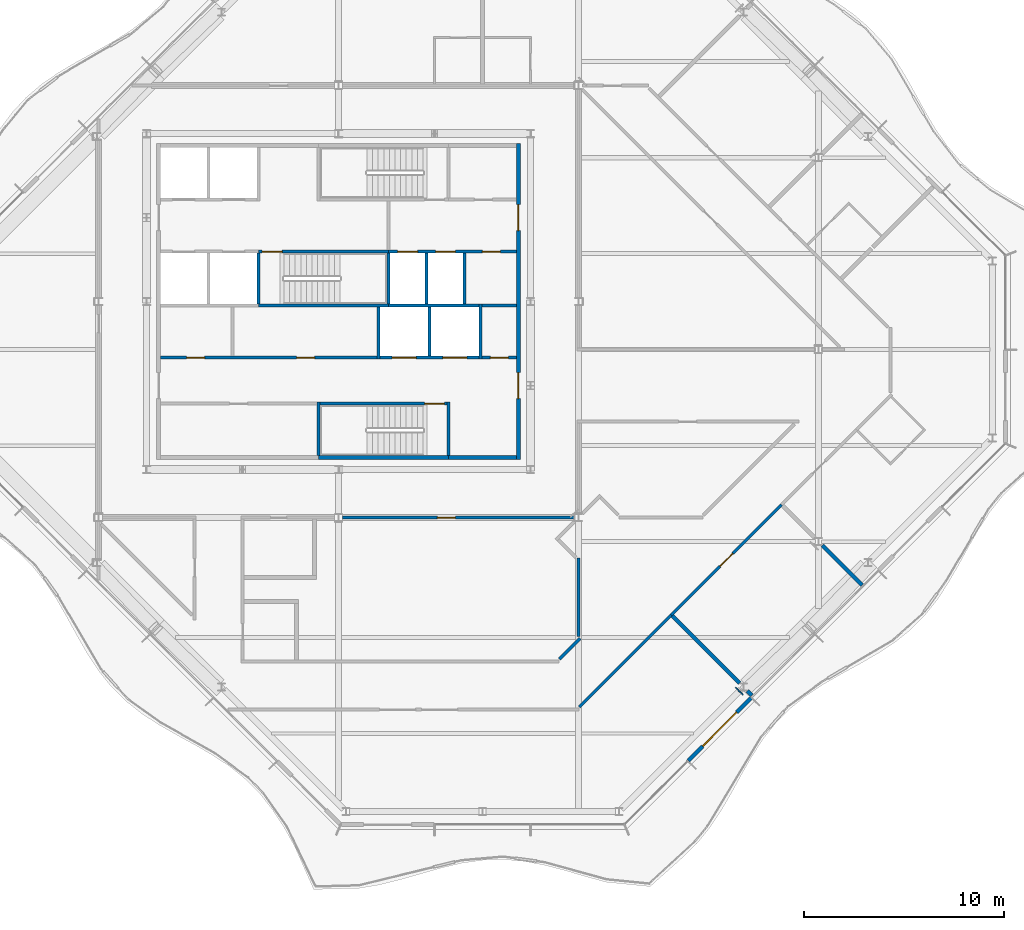
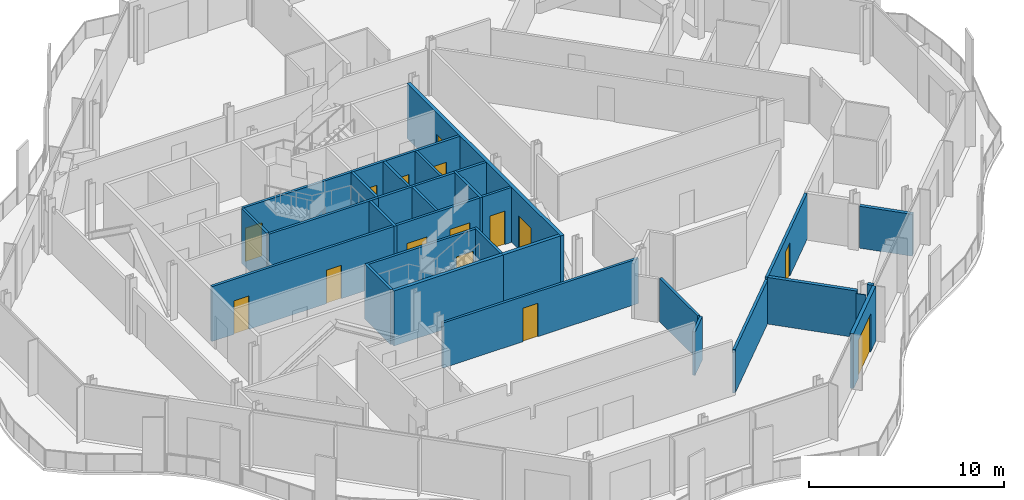
# One storey, part 8 of 16: 31 walls, 15 doors, 15 openings.
"""IFC4 building model written with IfcOpenShell, lengths in metres."""

from ifc_helpers import new_model, si_unit, direction, frame, frame_2d, origin, place, context, subcontext, project, spatial, rectangle, extrude, material, layer, layer_set, type_object, element, fill, save


model = new_model("IFC4")

# Units and contexts
model_context = context("Model", 3, precision=1e-05, world=origin(), true_north=direction((0.0, 1.0)))
body_context = subcontext(model_context, "Body", "Model", "MODEL_VIEW")
ifc_project = project(units=[si_unit("LENGTHUNIT", "METRE"), si_unit("AREAUNIT", "SQUARE_METRE"), si_unit("VOLUMEUNIT", "CUBIC_METRE"), si_unit("PLANEANGLEUNIT", "RADIAN"), si_unit("MASSUNIT", "GRAM", prefix="KILO")], contexts=[model_context])

# Site, building, storey
site_placement = place(None, origin())
site = spatial("IfcSite", under=ifc_project, at=site_placement, CompositionType="ELEMENT")
building_placement = place(site_placement, origin())
building = spatial("IfcBuilding", under=site, at=building_placement, Name="Cairn Pilgrim Tower", CompositionType="ELEMENT")
storey_placement = place(building_placement, frame((0.0, 0.0, 288.60009765625)))
storey = spatial("IfcBuildingStorey", under=building, at=storey_placement, Name="L74", CompositionType="ELEMENT", Elevation=288.60009765625)

# Wall, opening, door
ifc_material_1 = material(Name="Bronze anodised aluminium insulated sandwich panel with mineral wool fill", Category="aluminium")
ifc_layer_1 = layer(ifc_material_1, 0.199951171875)
ifc_layer_set_1 = layer_set([ifc_layer_1], Name="BRONZE INFILL FRAME WALL 200")
wall_type_1 = type_object("IfcWallType", Name="BRONZE INFILL FRAME WALL 200", PredefinedType="NOTDEFINED", material=ifc_layer_set_1)
wall_1_placement = place(storey_placement, frame((24.693359375, -20.55322265625, 0.0), z_axis=(0.0, 0.0, 1.0), x_axis=(0.707079231393, 0.707134329907, 0.0)))
wall_1 = element("IfcWall", 1, at=wall_1_placement, inside=storey, type_object=wall_type_1, Name="Bronze infill frame wall IW-SE2", PredefinedType="NOTDEFINED", context=body_context, shape_type="SweptSolid", body=[
    extrude(rectangle(XDim=4.430908203125, YDim=0.199951171875, at=frame_2d((2.21533203125, 0.0))), origin(), (0.0, 0.0, 1.0), 3.449951171875),
])
opening_1_placement = place(wall_1_placement, frame((1.015380859375, 0.0, 0.0)))
opening_1 = element("IfcOpeningElement", 2, at=opening_1_placement, cuts=wall_1, Name="Opening 7401B2", PredefinedType="OPENING", context=body_context, shape_type="SweptSolid", body=[
    extrude(rectangle(XDim=2.39990234375, YDim=2.39990234375, at=frame_2d((1.199951171875, 1.199951171875))), frame((0.0, 0.10986328125, 0.0), z_axis=(0.0, -1.0, 0.0), x_axis=(1.0, 0.0, 0.0)), (0.0, 0.0, 1.0), 0.219970703125),
])
ifc_material_2 = material(Name="Bronze anodised aluminium frame with tinted low-E glass", Category="aluminium")
door_type_1 = type_object("IfcDoorType", Name="BALCONY SLIDING DOOR 2400x2400", OperationType="DOUBLE_DOOR_SLIDING", PredefinedType="DOOR", material=ifc_material_2)
door_1_placement = place(opening_1_placement, origin())
door_1 = element("IfcDoor", 3, at=door_1_placement, inside=storey, type_object=door_type_1, Name="Balcony sliding door 7401B2", OperationType="SINGLE_SWING_LEFT", OverallHeight=2.39990234375, OverallWidth=2.39990234375, PredefinedType="DOOR", context=body_context, shape_type="SweptSolid", body=[
    extrude(rectangle(XDim=2.39990234375, YDim=2.39990234375, at=frame_2d((1.199951171875, 1.199951171875))), frame((0.0, 0.02490234375, 0.0), z_axis=(0.0, -1.0, 0.0), x_axis=(1.0, 0.0, 0.0)), (0.0, 0.0, 1.0), 0.050048828125),
])
fill(opening_1, door_1)

# Wall
ifc_material_3 = material(Name="Concrete C32/40", Category="concrete")
ifc_layer_2 = layer(ifc_material_3, 0.199951171875)
ifc_layer_set_2 = layer_set([ifc_layer_2], Name="CORE OUTER WALL 200 EI 120")
wall_type_2 = type_object("IfcWallType", Name="CORE OUTER WALL 200 EI 120", PredefinedType="SOLIDWALL", material=ifc_layer_set_2)
wall_2_placement = place(storey_placement, frame((12.699951171875, -5.39990234375, 0.0), z_axis=(0.0, 0.0, 1.0), x_axis=(1.0, 0.0, 0.0)))
element("IfcWall", 4, at=wall_2_placement, inside=storey, type_object=wall_type_2, Name="CW:L74:H01-3", PredefinedType="SOLIDWALL", context=body_context, shape_type="SweptSolid", body=[
    extrude(rectangle(XDim=3.400146484375, YDim=0.199951171875, at=frame_2d((1.7001953125, 0.0))), origin(), (0.0, 0.0, 1.0), 3.449951171875),
])

# Wall, openings, doors
wall_3_placement = place(storey_placement, frame((16.199951171875, -5.5, 0.0), z_axis=(0.0, 0.0, 1.0), x_axis=(0.0, 1.0, 0.0)))
wall_3 = element("IfcWall", 5, at=wall_3_placement, inside=storey, type_object=wall_type_2, Name="CW:L74:V30", PredefinedType="SOLIDWALL", context=body_context, shape_type="SweptSolid", body=[
    extrude(rectangle(XDim=15.800048828125, YDim=0.199951171875, at=frame_2d((7.89990234375, 0.0))), origin(), (0.0, 0.0, 1.0), 3.449951171875),
])
opening_2_placement = place(wall_3_placement, frame((3.050048828125, 0.0, 0.0)))
opening_2 = element("IfcOpeningElement", 6, at=opening_2_placement, cuts=wall_3, Name="Opening CD-E1", PredefinedType="OPENING", context=body_context, shape_type="SweptSolid", body=[
    extrude(rectangle(XDim=1.300048828125, YDim=2.10009765625, at=frame_2d((0.64990234375, 1.050048828125))), frame((0.0, 0.10986328125, 0.0), z_axis=(0.0, -1.0, 0.0), x_axis=(1.0, 0.0, 0.0)), (0.0, 0.0, 1.0), 0.219970703125),
])
opening_3_placement = place(wall_3_placement, frame((11.449951171875, 0.0, 0.0)))
opening_3 = element("IfcOpeningElement", 7, at=opening_3_placement, cuts=wall_3, Name="Opening CD-E2", PredefinedType="OPENING", context=body_context, shape_type="SweptSolid", body=[
    extrude(rectangle(XDim=1.300048828125, YDim=2.10009765625, at=frame_2d((0.64990234375, 1.050048828125))), frame((0.0, 0.10986328125, 0.0), z_axis=(0.0, -1.0, 0.0), x_axis=(1.0, 0.0, 0.0)), (0.0, 0.0, 1.0), 0.219970703125),
])
ifc_material_4 = material(Name="Painted steel", Category="steel")
door_type_2 = type_object("IfcDoorType", Name="CORE LOBBY DOOR 1300x2100", OperationType="DOUBLE_DOOR_SINGLE_SWING", PredefinedType="DOOR", material=ifc_material_4)
door_2_placement = place(opening_2_placement, origin())
door_2 = element("IfcDoor", 8, at=door_2_placement, inside=storey, type_object=door_type_2, Name="CD-E1", OperationType="DOUBLE_DOOR_SINGLE_SWING", OverallHeight=2.10009765625, OverallWidth=1.300048828125, PredefinedType="DOOR", context=body_context, shape_type="SweptSolid", body=[
    extrude(rectangle(XDim=1.300048828125, YDim=2.10009765625, at=frame_2d((0.64990234375, 1.050048828125))), frame((0.0, 0.02490234375, 0.0), z_axis=(0.0, -1.0, 0.0), x_axis=(1.0, 0.0, 0.0)), (0.0, 0.0, 1.0), 0.050048828125),
])
fill(opening_2, door_2)
door_3_placement = place(opening_3_placement, origin())
door_3 = element("IfcDoor", 9, at=door_3_placement, inside=storey, type_object=door_type_2, Name="CD-E2", OperationType="DOUBLE_DOOR_SINGLE_SWING", OverallHeight=2.10009765625, OverallWidth=1.300048828125, PredefinedType="DOOR", context=body_context, shape_type="SweptSolid", body=[
    extrude(rectangle(XDim=1.300048828125, YDim=2.10009765625, at=frame_2d((0.64990234375, 1.050048828125))), frame((0.0, 0.02490234375, 0.0), z_axis=(0.0, -1.0, 0.0), x_axis=(1.0, 0.0, 0.0)), (0.0, 0.0, 1.0), 0.050048828125),
])
fill(opening_3, door_3)

ifc_layer_3 = layer(ifc_material_3, 0.14990234375)
ifc_layer_set_3 = layer_set([ifc_layer_3], Name="CORE PARTITION 150 EI 60")
wall_type_3 = type_object("IfcWallType", Name="CORE PARTITION 150 EI 60", PredefinedType="PARTITIONING", material=ifc_layer_set_3)
wall_4_placement = place(storey_placement, frame((-1.699951171875, -0.39990234375, 0.0), z_axis=(0.0, 0.0, 1.0), x_axis=(1.0, 0.0, 0.0)))
wall_4 = element("IfcWall", 10, at=wall_4_placement, inside=storey, type_object=wall_type_3, Name="CW:L74:H04", PredefinedType="PARTITIONING", context=body_context, shape_type="SweptSolid", body=[
    extrude(rectangle(XDim=10.824951171875, YDim=0.14990234375, at=frame_2d((5.41259765625, 0.0))), origin(), (0.0, 0.0, 1.0), 3.449951171875),
])
opening_4_placement = place(wall_4_placement, frame((1.300048828125, 0.0, 0.0)))
opening_4 = element("IfcOpeningElement", 11, at=opening_4_placement, cuts=wall_4, Name="Opening RD-R2W1", PredefinedType="OPENING", context=body_context, shape_type="SweptSolid", body=[
    extrude(rectangle(XDim=0.89990234375, YDim=2.10009765625, at=frame_2d((0.449951171875, 1.050048828125))), frame((0.0, 0.0849609375, 0.0), z_axis=(0.0, -1.0, 0.0), x_axis=(1.0, 0.0, 0.0)), (0.0, 0.0, 1.0), 0.169921875),
])
opening_5_placement = place(wall_4_placement, frame((6.800048828125, 0.0, 0.0)))
opening_5 = element("IfcOpeningElement", 12, at=opening_5_placement, cuts=wall_4, Name="Opening RD-R2W2", PredefinedType="OPENING", context=body_context, shape_type="SweptSolid", body=[
    extrude(rectangle(XDim=0.89990234375, YDim=2.10009765625, at=frame_2d((0.449951171875, 1.050048828125))), frame((0.0, 0.0849609375, 0.0), z_axis=(0.0, -1.0, 0.0), x_axis=(1.0, 0.0, 0.0)), (0.0, 0.0, 1.0), 0.169921875),
])
door_type_3 = type_object("IfcDoorType", Name="SERVICE ROOM DOOR 900x2100", OperationType="SINGLE_SWING_LEFT", PredefinedType="DOOR", material=ifc_material_4)
door_4_placement = place(opening_4_placement, origin())
door_4 = element("IfcDoor", 13, at=door_4_placement, inside=storey, type_object=door_type_3, Name="RD-R2W1", OperationType="SINGLE_SWING_RIGHT", OverallHeight=2.10009765625, OverallWidth=0.89990234375, PredefinedType="DOOR", context=body_context, shape_type="SweptSolid", body=[
    extrude(rectangle(XDim=0.89990234375, YDim=2.10009765625, at=frame_2d((0.449951171875, 1.050048828125))), frame((0.0, 0.02490234375, 0.0), z_axis=(0.0, -1.0, 0.0), x_axis=(1.0, 0.0, 0.0)), (0.0, 0.0, 1.0), 0.050048828125),
])
fill(opening_4, door_4)
door_5_placement = place(opening_5_placement, origin())
door_5 = element("IfcDoor", 14, at=door_5_placement, inside=storey, type_object=door_type_3, Name="RD-R2W2", OperationType="SINGLE_SWING_LEFT", OverallHeight=2.10009765625, OverallWidth=0.89990234375, PredefinedType="DOOR", context=body_context, shape_type="SweptSolid", body=[
    extrude(rectangle(XDim=0.89990234375, YDim=2.10009765625, at=frame_2d((0.449951171875, 1.050048828125))), frame((0.0, 0.02490234375, 0.0), z_axis=(0.0, -1.0, 0.0), x_axis=(1.0, 0.0, 0.0)), (0.0, 0.0, 1.0), 0.050048828125),
])
fill(opening_5, door_5)

# Wall, opening, door
wall_5_placement = place(storey_placement, frame((14.375, -0.39990234375, 0.0), z_axis=(0.0, 0.0, 1.0), x_axis=(1.0, 0.0, 0.0)))
wall_5 = element("IfcWall", 15, at=wall_5_placement, inside=storey, type_object=wall_type_3, Name="CW:L74:H06", PredefinedType="PARTITIONING", context=body_context, shape_type="SweptSolid", body=[
    extrude(rectangle(XDim=1.72509765625, YDim=0.14990234375, at=frame_2d((0.862548828125, 0.0))), origin(), (0.0, 0.0, 1.0), 3.449951171875),
])
opening_6_placement = place(wall_5_placement, frame((0.425048828125, 0.0, 0.0)))
opening_6 = element("IfcOpeningElement", 16, at=opening_6_placement, cuts=wall_5, Name="Opening RD-R2E", PredefinedType="OPENING", context=body_context, shape_type="SweptSolid", body=[
    extrude(rectangle(XDim=0.89990234375, YDim=2.10009765625, at=frame_2d((0.449951171875, 1.050048828125))), frame((0.0, 0.0849609375, 0.0), z_axis=(0.0, -1.0, 0.0), x_axis=(1.0, 0.0, 0.0)), (0.0, 0.0, 1.0), 0.169921875),
])
door_6_placement = place(opening_6_placement, origin())
door_6 = element("IfcDoor", 17, at=door_6_placement, inside=storey, type_object=door_type_3, Name="RD-R2E", OperationType="SINGLE_SWING_RIGHT", OverallHeight=2.10009765625, OverallWidth=0.89990234375, PredefinedType="DOOR", context=body_context, shape_type="SweptSolid", body=[
    extrude(rectangle(XDim=0.89990234375, YDim=2.10009765625, at=frame_2d((0.449951171875, 1.050048828125))), frame((0.0, 0.02490234375, 0.0), z_axis=(0.0, -1.0, 0.0), x_axis=(1.0, 0.0, 0.0)), (0.0, 0.0, 1.0), 0.050048828125),
])
fill(opening_6, door_6)

# Wall
wall_6_placement = place(storey_placement, frame((14.375, 2.199951171875, 0.0), z_axis=(0.0, 0.0, 1.0), x_axis=(1.0, 0.0, 0.0)))
element("IfcWall", 18, at=wall_6_placement, inside=storey, type_object=wall_type_3, Name="CW:L74:H08", PredefinedType="PARTITIONING", context=body_context, shape_type="SweptSolid", body=[
    extrude(rectangle(XDim=1.72509765625, YDim=0.14990234375, at=frame_2d((0.862548828125, 0.0))), origin(), (0.0, 0.0, 1.0), 3.449951171875),
])

# Wall, openings, doors
ifc_layer_4 = layer(ifc_material_3, 0.14990234375)
ifc_layer_set_4 = layer_set([ifc_layer_4], Name="CORE SHAFT WALL 150 EI 120")
wall_type_4 = type_object("IfcWallType", Name="CORE SHAFT WALL 150 EI 120", PredefinedType="SOLIDWALL", material=ifc_layer_set_4)
wall_7_placement = place(storey_placement, frame((9.27490234375, -0.39990234375, 0.0), z_axis=(0.0, 0.0, 1.0), x_axis=(1.0, 0.0, 0.0)))
wall_7 = element("IfcWall", 19, at=wall_7_placement, inside=storey, type_object=wall_type_4, Name="CW:L74:H05", PredefinedType="SOLIDWALL", context=body_context, shape_type="SweptSolid", body=[
    extrude(rectangle(XDim=4.9501953125, YDim=0.14990234375, at=frame_2d((2.47509765625, 0.0))), origin(), (0.0, 0.0, 1.0), 3.449951171875),
])
opening_7_placement = place(wall_7_placement, frame((0.60009765625, 0.0, 0.0)))
opening_7 = element("IfcOpeningElement", 20, at=opening_7_placement, cuts=wall_7, Name="Opening LD-SV1", PredefinedType="OPENING", context=body_context, shape_type="SweptSolid", body=[
    extrude(rectangle(XDim=1.199951171875, YDim=2.10009765625, at=frame_2d((0.60009765625, 1.050048828125))), frame((0.0, 0.0849609375, 0.0), z_axis=(0.0, -1.0, 0.0), x_axis=(1.0, 0.0, 0.0)), (0.0, 0.0, 1.0), 0.169921875),
])
opening_8_placement = place(wall_7_placement, frame((3.14990234375, 0.0, 0.0)))
opening_8 = element("IfcOpeningElement", 21, at=opening_8_placement, cuts=wall_7, Name="Opening LD-SV2", PredefinedType="OPENING", context=body_context, shape_type="SweptSolid", body=[
    extrude(rectangle(XDim=1.199951171875, YDim=2.10009765625, at=frame_2d((0.60009765625, 1.050048828125))), frame((0.0, 0.0849609375, 0.0), z_axis=(0.0, -1.0, 0.0), x_axis=(1.0, 0.0, 0.0)), (0.0, 0.0, 1.0), 0.169921875),
])
ifc_material_5 = material(Name="Stainless steel", Category="steel")
door_type_4 = type_object("IfcDoorType", Name="LIFT LANDING DOOR 1200x2100", OperationType="DOUBLE_DOOR_SLIDING", PredefinedType="DOOR", material=ifc_material_5)
door_7_placement = place(opening_7_placement, origin())
door_7 = element("IfcDoor", 22, at=door_7_placement, inside=storey, type_object=door_type_4, Name="LANDING DOOR SV1", OperationType="DOUBLE_DOOR_SLIDING", OverallHeight=2.10009765625, OverallWidth=1.199951171875, PredefinedType="DOOR", context=body_context, shape_type="SweptSolid", body=[
    extrude(rectangle(XDim=1.199951171875, YDim=2.10009765625, at=frame_2d((0.60009765625, 1.050048828125))), frame((0.0, 0.02490234375, 0.0), z_axis=(0.0, -1.0, 0.0), x_axis=(1.0, 0.0, 0.0)), (0.0, 0.0, 1.0), 0.050048828125),
])
fill(opening_7, door_7)
door_8_placement = place(opening_8_placement, origin())
door_8 = element("IfcDoor", 23, at=door_8_placement, inside=storey, type_object=door_type_4, Name="LANDING DOOR SV2", OperationType="DOUBLE_DOOR_SLIDING", OverallHeight=2.10009765625, OverallWidth=1.199951171875, PredefinedType="DOOR", context=body_context, shape_type="SweptSolid", body=[
    extrude(rectangle(XDim=1.199951171875, YDim=2.10009765625, at=frame_2d((0.60009765625, 1.050048828125))), frame((0.0, 0.02490234375, 0.0), z_axis=(0.0, -1.0, 0.0), x_axis=(1.0, 0.0, 0.0)), (0.0, 0.0, 1.0), 0.050048828125),
])
fill(opening_8, door_8)

# Wall
wall_8_placement = place(storey_placement, frame((9.699951171875, 2.199951171875, 0.0), z_axis=(0.0, 0.0, 1.0), x_axis=(1.0, 0.0, 0.0)))
element("IfcWall", 24, at=wall_8_placement, inside=storey, type_object=wall_type_4, Name="CW:L74:H07-3", PredefinedType="SOLIDWALL", context=body_context, shape_type="SweptSolid", body=[
    extrude(rectangle(XDim=4.525146484375, YDim=0.14990234375, at=frame_2d((2.2626953125, 0.0))), origin(), (0.0, 0.0, 1.0), 3.449951171875),
])

# Wall, openings, doors
wall_9_placement = place(storey_placement, frame((9.699951171875, 4.89990234375, 0.0), z_axis=(0.0, 0.0, 1.0), x_axis=(1.0, 0.0, 0.0)))
wall_9 = element("IfcWall", 25, at=wall_9_placement, inside=storey, type_object=wall_type_4, Name="CW:L74:H09-3", PredefinedType="SOLIDWALL", context=body_context, shape_type="SweptSolid", body=[
    extrude(rectangle(XDim=6.400146484375, YDim=0.14990234375, at=frame_2d((3.2001953125, 0.0))), origin(), (0.0, 0.0, 1.0), 3.449951171875),
])
opening_9_placement = place(wall_9_placement, frame((0.449951171875, 0.0, 0.0)))
opening_9 = element("IfcOpeningElement", 26, at=opening_9_placement, cuts=wall_9, Name="Opening LD-FF1", PredefinedType="OPENING", context=body_context, shape_type="SweptSolid", body=[
    extrude(rectangle(XDim=1.0, YDim=2.10009765625, at=frame_2d((0.5, 1.050048828125))), frame((0.0, 0.0849609375, 0.0), z_axis=(0.0, -1.0, 0.0), x_axis=(1.0, 0.0, 0.0)), (0.0, 0.0, 1.0), 0.169921875),
])
opening_10_placement = place(wall_9_placement, frame((2.35009765625, 0.0, 0.0)))
opening_10 = element("IfcOpeningElement", 27, at=opening_10_placement, cuts=wall_9, Name="Opening LD-FF2", PredefinedType="OPENING", context=body_context, shape_type="SweptSolid", body=[
    extrude(rectangle(XDim=1.0, YDim=2.10009765625, at=frame_2d((0.5, 1.050048828125))), frame((0.0, 0.0849609375, 0.0), z_axis=(0.0, -1.0, 0.0), x_axis=(1.0, 0.0, 0.0)), (0.0, 0.0, 1.0), 0.169921875),
])
opening_11_placement = place(wall_9_placement, frame((4.699951171875, 0.0, 0.0)))
opening_11 = element("IfcOpeningElement", 28, at=opening_11_placement, cuts=wall_9, Name="Opening RD-R3E", PredefinedType="OPENING", context=body_context, shape_type="SweptSolid", body=[
    extrude(rectangle(XDim=0.89990234375, YDim=2.10009765625, at=frame_2d((0.449951171875, 1.050048828125))), frame((0.0, 0.0849609375, 0.0), z_axis=(0.0, -1.0, 0.0), x_axis=(1.0, 0.0, 0.0)), (0.0, 0.0, 1.0), 0.169921875),
])
door_type_5 = type_object("IfcDoorType", Name="LIFT LANDING DOOR FIRE 1000x2100", OperationType="DOUBLE_DOOR_SLIDING", PredefinedType="DOOR", material=ifc_material_5)
door_9_placement = place(opening_9_placement, origin())
door_9 = element("IfcDoor", 29, at=door_9_placement, inside=storey, type_object=door_type_5, Name="LANDING DOOR FF1", OperationType="DOUBLE_DOOR_SLIDING", OverallHeight=2.10009765625, OverallWidth=1.0, PredefinedType="DOOR", context=body_context, shape_type="SweptSolid", body=[
    extrude(rectangle(XDim=1.0, YDim=2.10009765625, at=frame_2d((0.5, 1.050048828125))), frame((0.0, 0.02490234375, 0.0), z_axis=(0.0, -1.0, 0.0), x_axis=(1.0, 0.0, 0.0)), (0.0, 0.0, 1.0), 0.050048828125),
])
fill(opening_9, door_9)
door_10_placement = place(opening_10_placement, origin())
door_10 = element("IfcDoor", 30, at=door_10_placement, inside=storey, type_object=door_type_5, Name="LANDING DOOR FF2", OperationType="DOUBLE_DOOR_SLIDING", OverallHeight=2.10009765625, OverallWidth=1.0, PredefinedType="DOOR", context=body_context, shape_type="SweptSolid", body=[
    extrude(rectangle(XDim=1.0, YDim=2.10009765625, at=frame_2d((0.5, 1.050048828125))), frame((0.0, 0.02490234375, 0.0), z_axis=(0.0, -1.0, 0.0), x_axis=(1.0, 0.0, 0.0)), (0.0, 0.0, 1.0), 0.050048828125),
])
fill(opening_10, door_10)
door_11_placement = place(opening_11_placement, origin())
door_11 = element("IfcDoor", 31, at=door_11_placement, inside=storey, type_object=door_type_3, Name="RD-R3E", OperationType="SINGLE_SWING_LEFT", OverallHeight=2.10009765625, OverallWidth=0.89990234375, PredefinedType="DOOR", context=body_context, shape_type="SweptSolid", body=[
    extrude(rectangle(XDim=0.89990234375, YDim=2.10009765625, at=frame_2d((0.449951171875, 1.050048828125))), frame((0.0, 0.02490234375, 0.0), z_axis=(0.0, -1.0, 0.0), x_axis=(1.0, 0.0, 0.0)), (0.0, 0.0, 1.0), 0.050048828125),
])
fill(opening_11, door_11)

# Walls
wall_10_placement = place(storey_placement, frame((9.199951171875, -0.47509765625, 0.0), z_axis=(0.0, 0.0, 1.0), x_axis=(0.0, 1.0, 0.0)))
element("IfcWall", 32, at=wall_10_placement, inside=storey, type_object=wall_type_4, Name="CW:L74:V21", PredefinedType="SOLIDWALL", context=body_context, shape_type="SweptSolid", body=[
    extrude(rectangle(XDim=2.60009765625, YDim=0.14990234375, at=frame_2d((1.300048828125, 0.0))), origin(), (0.0, 0.0, 1.0), 3.449951171875),
])
wall_11_placement = place(storey_placement, frame((11.60009765625, 2.27490234375, 0.0), z_axis=(0.0, 0.0, 1.0), x_axis=(0.0, 1.0, 0.0)))
element("IfcWall", 33, at=wall_11_placement, inside=storey, type_object=wall_type_4, Name="CW:L74:V24", PredefinedType="SOLIDWALL", context=body_context, shape_type="SweptSolid", body=[
    extrude(rectangle(XDim=2.550048828125, YDim=0.14990234375, at=frame_2d((1.27490234375, 0.0))), origin(), (0.0, 0.0, 1.0), 3.449951171875),
])
wall_12_placement = place(storey_placement, frame((11.75, -0.324951171875, 0.0), z_axis=(0.0, 0.0, 1.0), x_axis=(0.0, 1.0, 0.0)))
element("IfcWall", 34, at=wall_12_placement, inside=storey, type_object=wall_type_4, Name="CW:L74:V25", PredefinedType="SOLIDWALL", context=body_context, shape_type="SweptSolid", body=[
    extrude(rectangle(XDim=2.449951171875, YDim=0.14990234375, at=frame_2d((1.22509765625, 0.0))), origin(), (0.0, 0.0, 1.0), 3.449951171875),
])
wall_13_placement = place(storey_placement, frame((13.5, 2.27490234375, 0.0), z_axis=(0.0, 0.0, 1.0), x_axis=(0.0, 1.0, 0.0)))
element("IfcWall", 35, at=wall_13_placement, inside=storey, type_object=wall_type_4, Name="CW:L74:V28", PredefinedType="SOLIDWALL", context=body_context, shape_type="SweptSolid", body=[
    extrude(rectangle(XDim=2.550048828125, YDim=0.14990234375, at=frame_2d((1.27490234375, 0.0))), origin(), (0.0, 0.0, 1.0), 3.449951171875),
])
wall_14_placement = place(storey_placement, frame((14.300048828125, -0.47509765625, 0.0), z_axis=(0.0, 0.0, 1.0), x_axis=(0.0, 1.0, 0.0)))
element("IfcWall", 36, at=wall_14_placement, inside=storey, type_object=wall_type_4, Name="CW:L74:V29", PredefinedType="SOLIDWALL", context=body_context, shape_type="SweptSolid", body=[
    extrude(rectangle(XDim=2.75, YDim=0.14990234375, at=frame_2d((1.375, 0.0))), origin(), (0.0, 0.0, 1.0), 3.449951171875),
])
ifc_material_6 = material(Name="Gypsum partition")
ifc_layer_5 = layer(ifc_material_6, 0.14990234375)
ifc_layer_set_5 = layer_set([ifc_layer_5], Name="PARTITION 150 DRYWALL EI 60")
wall_type_5 = type_object("IfcWallType", Name="PARTITION 150 DRYWALL EI 60", PredefinedType="PARTITIONING", material=ifc_layer_set_5)
wall_15_placement = place(storey_placement, frame((19.242919921875, -17.8720703125, 0.0), z_axis=(0.0, 0.0, 1.0), x_axis=(0.707106781187, 0.707106781187, 0.0)))
element("IfcWall", 37, at=wall_15_placement, inside=storey, type_object=wall_type_5, Name="PARTITION W002", PredefinedType="PARTITIONING", context=body_context, shape_type="SweptSolid", body=[
    extrude(rectangle(XDim=6.50830078125, YDim=0.14990234375, at=frame_2d((3.254150390625, 0.0))), origin(), (0.0, 0.0, 1.0), 2.72998046875),
])
wall_16_placement = place(storey_placement, frame((18.2490234375, -15.471923828125, 0.0), z_axis=(0.0, 0.0, 1.0), x_axis=(0.707106781187, 0.707106781187, 0.0)))
element("IfcWall", 38, at=wall_16_placement, inside=storey, type_object=wall_type_5, Name="PARTITION W008", PredefinedType="PARTITIONING", context=body_context, shape_type="SweptSolid", body=[
    extrude(rectangle(XDim=1.450927734375, YDim=0.14990234375, at=frame_2d((0.7255859375, 0.0))), origin(), (0.0, 0.0, 1.0), 2.72998046875),
])
wall_17_placement = place(storey_placement, frame((19.199951171875, -14.33984375, 0.0), z_axis=(0.0, 0.0, 1.0), x_axis=(0.0, 1.0, 0.0)))
element("IfcWall", 39, at=wall_17_placement, inside=storey, type_object=wall_type_5, Name="PARTITION W009", PredefinedType="PARTITIONING", context=body_context, shape_type="SweptSolid", body=[
    extrude(rectangle(XDim=3.9248046875, YDim=0.14990234375, at=frame_2d((1.96240234375, 0.0))), origin(), (0.0, 0.0, 1.0), 2.72998046875),
])

# Wall, opening, door
wall_18_placement = place(storey_placement, frame((23.844970703125, -13.27001953125, 0.0), z_axis=(0.0, 0.0, 1.0), x_axis=(0.707044144392, 0.707169412433, 0.0)))
wall_18 = element("IfcWall", 40, at=wall_18_placement, inside=storey, type_object=wall_type_5, Name="PARTITION W012", PredefinedType="PARTITIONING", context=body_context, shape_type="SweptSolid", body=[
    extrude(rectangle(XDim=7.7958984375, YDim=0.14990234375, at=frame_2d((3.89794921875, 0.0))), origin(), (0.0, 0.0, 1.0), 2.8798828125),
])
opening_12_placement = place(wall_18_placement, frame((3.44775390625, 0.0, 0.0)))
opening_12 = element("IfcOpeningElement", 41, at=opening_12_placement, cuts=wall_18, Name="Opening 7402", PredefinedType="OPENING", context=body_context, shape_type="SweptSolid", body=[
    extrude(rectangle(XDim=0.89990234375, YDim=2.10009765625, at=frame_2d((0.449951171875, 1.050048828125))), frame((0.0, 0.0849609375, 0.0), z_axis=(0.0, -1.0, 0.0), x_axis=(1.0, 0.0, 0.0)), (0.0, 0.0, 1.0), 0.169921875),
])
ifc_material_7 = material(Name="Timber door leaf", Category="wood")
door_type_6 = type_object("IfcDoorType", Name="SERVICE DOOR 900x2100 FD30S", OperationType="NOTDEFINED", PredefinedType="DOOR", material=ifc_material_7)
door_12_placement = place(opening_12_placement, frame((0.89990234375, 0.0, 0.0), z_axis=(0.0, 0.0, 1.0), x_axis=(-1.0, 0.0, 0.0)))
door_12 = element("IfcDoor", 42, at=door_12_placement, inside=storey, type_object=door_type_6, Name="DOOR 7402", OperationType="SINGLE_SWING_LEFT", OverallHeight=2.10009765625, OverallWidth=0.89990234375, PredefinedType="DOOR", context=body_context, shape_type="SweptSolid", body=[
    extrude(rectangle(XDim=0.89990234375, YDim=2.10009765625, at=frame_2d((0.449951171875, 1.050048828125))), frame((0.0, 0.02490234375, 0.0), z_axis=(0.0, -1.0, 0.0), x_axis=(1.0, 0.0, 0.0)), (0.0, 0.0, 1.0), 0.050048828125),
])
fill(opening_12, door_12)

wall_19_placement = place(storey_placement, frame((7.39697265625, -8.39990234375, 0.0), z_axis=(0.0, 0.0, 1.0), x_axis=(1.0, 0.0, 0.0)))
wall_19 = element("IfcWall", 43, at=wall_19_placement, inside=storey, type_object=wall_type_5, Name="PARTITION W024", PredefinedType="PARTITIONING", context=body_context, shape_type="SweptSolid", body=[
    extrude(rectangle(XDim=11.60595703125, YDim=0.14990234375, at=frame_2d((5.802978515625, 0.0))), origin(), (0.0, 0.0, 1.0), 2.829833984375),
])
opening_13_placement = place(wall_19_placement, frame((4.7529296875, 0.0, 0.0)))
opening_13 = element("IfcOpeningElement", 44, at=opening_13_placement, cuts=wall_19, Name="Opening 7414", PredefinedType="OPENING", context=body_context, shape_type="SweptSolid", body=[
    extrude(rectangle(XDim=0.89990234375, YDim=2.10009765625, at=frame_2d((0.449951171875, 1.050048828125))), frame((0.0, 0.0849609375, 0.0), z_axis=(0.0, -1.0, 0.0), x_axis=(1.0, 0.0, 0.0)), (0.0, 0.0, 1.0), 0.169921875),
])
door_13_placement = place(opening_13_placement, frame((0.89990234375, 0.0, 0.0), z_axis=(0.0, 0.0, 1.0), x_axis=(-1.0, 0.0, 0.0)))
door_13 = element("IfcDoor", 45, at=door_13_placement, inside=storey, type_object=door_type_6, Name="DOOR 7414", OperationType="SINGLE_SWING_RIGHT", OverallHeight=2.10009765625, OverallWidth=0.89990234375, PredefinedType="DOOR", context=body_context, shape_type="SweptSolid", body=[
    extrude(rectangle(XDim=0.89990234375, YDim=2.10009765625, at=frame_2d((0.449951171875, 1.050048828125))), frame((0.0, 0.02490234375, 0.0), z_axis=(0.0, -1.0, 0.0), x_axis=(1.0, 0.0, 0.0)), (0.0, 0.0, 1.0), 0.050048828125),
])
fill(opening_13, door_13)

# Walls
ifc_layer_6 = layer(ifc_material_6, 0.050048828125)
ifc_layer_set_6 = layer_set([ifc_layer_6], Name="PARTITION 50 DRYWALL EI 60")
wall_type_6 = type_object("IfcWallType", Name="PARTITION 50 DRYWALL EI 60", PredefinedType="PARTITIONING", material=ifc_layer_set_6)
wall_20_placement = place(storey_placement, frame((27.433837890625, -17.27294921875, 0.0), z_axis=(0.0, 0.0, 1.0), x_axis=(-0.707106781187, 0.707106781187, 0.0)))
element("IfcWall", 46, at=wall_20_placement, inside=storey, type_object=wall_type_6, Name="COLUMN CASING WC01", PredefinedType="PARTITIONING", context=body_context, shape_type="SweptSolid", body=[
    extrude(rectangle(XDim=0.536865234375, YDim=0.050048828125, at=frame_2d((0.2685546875, 0.0))), origin(), (0.0, 0.0, 1.0), 2.929931640625),
])
ifc_layer_7 = layer(ifc_material_6, 0.199951171875)
ifc_layer_set_7 = layer_set([ifc_layer_7], Name="SHAFT WALL 200 GYPSUM EI 60")
wall_type_7 = type_object("IfcWallType", Name="SHAFT WALL 200 GYPSUM EI 60", PredefinedType="PARTITIONING", material=ifc_layer_set_7)
wall_21_placement = place(storey_placement, frame((27.868896484375, -17.292724609375, 0.0), z_axis=(0.0, 0.0, 1.0), x_axis=(-0.70748623202, 0.706727126621, 0.0)))
element("IfcWall", 47, at=wall_21_placement, inside=storey, type_object=wall_type_7, Name="PARTITION W003", PredefinedType="PARTITIONING", context=body_context, shape_type="SweptSolid", body=[
    extrude(rectangle(XDim=0.321533203125, YDim=0.199951171875, at=frame_2d((0.16064453125, 0.0))), origin(), (0.0, 0.0, 1.0), 3.449951171875),
])
wall_22_placement = place(storey_placement, frame((27.26171875, -16.685791015625, 0.0), z_axis=(0.0, 0.0, 1.0), x_axis=(-0.707209431512, 0.707004115957, 0.0)))
element("IfcWall", 48, at=wall_22_placement, inside=storey, type_object=wall_type_7, Name="PARTITION W004", PredefinedType="PARTITIONING", context=body_context, shape_type="SweptSolid", body=[
    extrude(rectangle(XDim=4.75634765625, YDim=0.199951171875, at=frame_2d((2.378173828125, 0.0))), origin(), (0.0, 0.0, 1.0), 2.929931640625),
])
wall_23_placement = place(storey_placement, frame((33.380859375, -11.78076171875, 0.0), z_axis=(0.0, 0.0, 1.0), x_axis=(-0.707106781187, 0.707106781187, 0.0)))
element("IfcWall", 49, at=wall_23_placement, inside=storey, type_object=wall_type_7, Name="PARTITION W014", PredefinedType="PARTITIONING", context=body_context, shape_type="SweptSolid", body=[
    extrude(rectangle(XDim=2.812255859375, YDim=0.199951171875, at=frame_2d((1.40625, 0.0))), origin(), (0.0, 0.0, 1.0), 2.6298828125),
])

# Wall, opening, door
ifc_material_8 = material(Name="Concrete C35/45", Category="concrete")
ifc_layer_8 = layer(ifc_material_8, 0.14990234375)
ifc_layer_set_8 = layer_set([ifc_layer_8], Name="STAIR SHAFT WALL 150 EI 120")
wall_type_8 = type_object("IfcWallType", Name="STAIR SHAFT WALL 150 EI 120", PredefinedType="SOLIDWALL", material=ifc_layer_set_8)
wall_24_placement = place(storey_placement, frame((6.27490234375, -2.699951171875, 0.0), z_axis=(0.0, 0.0, 1.0), x_axis=(1.0, 0.0, 0.0)))
wall_24 = element("IfcWall", 50, at=wall_24_placement, inside=storey, type_object=wall_type_8, Name="CW:L74:H03", PredefinedType="SOLIDWALL", context=body_context, shape_type="SweptSolid", body=[
    extrude(rectangle(XDim=6.35009765625, YDim=0.14990234375, at=frame_2d((3.175048828125, 0.0))), origin(), (0.0, 0.0, 1.0), 3.449951171875),
])
opening_14_placement = place(wall_24_placement, frame((5.22509765625, 0.0, 0.0)))
opening_14 = element("IfcOpeningElement", 51, at=opening_14_placement, cuts=wall_24, Name="Opening SD-A", PredefinedType="OPENING", context=body_context, shape_type="SweptSolid", body=[
    extrude(rectangle(XDim=1.0, YDim=2.10009765625, at=frame_2d((0.5, 1.050048828125))), frame((0.0, 0.0849609375, 0.0), z_axis=(0.0, -1.0, 0.0), x_axis=(1.0, 0.0, 0.0)), (0.0, 0.0, 1.0), 0.169921875),
])
door_type_7 = type_object("IfcDoorType", Name="STAIR DOOR FD60S 1000x2100", OperationType="SINGLE_SWING_LEFT", PredefinedType="DOOR", material=ifc_material_4)
door_14_placement = place(opening_14_placement, origin())
door_14 = element("IfcDoor", 52, at=door_14_placement, inside=storey, type_object=door_type_7, Name="SD-A", OperationType="SINGLE_SWING_LEFT", OverallHeight=2.10009765625, OverallWidth=1.0, PredefinedType="DOOR", context=body_context, shape_type="SweptSolid", body=[
    extrude(rectangle(XDim=1.0, YDim=2.10009765625, at=frame_2d((0.5, 1.050048828125))), frame((0.0, 0.02490234375, 0.0), z_axis=(0.0, -1.0, 0.0), x_axis=(1.0, 0.0, 0.0)), (0.0, 0.0, 1.0), 0.050048828125),
])
fill(opening_14, door_14)

# Wall
wall_25_placement = place(storey_placement, frame((3.199951171875, 2.199951171875, 0.0), z_axis=(0.0, 0.0, 1.0), x_axis=(1.0, 0.0, 0.0)))
element("IfcWall", 53, at=wall_25_placement, inside=storey, type_object=wall_type_8, Name="CW:L74:H07-2", PredefinedType="SOLIDWALL", context=body_context, shape_type="SweptSolid", body=[
    extrude(rectangle(XDim=6.5, YDim=0.14990234375, at=frame_2d((3.25, 0.0))), origin(), (0.0, 0.0, 1.0), 3.449951171875),
])

# Wall, opening, door
wall_26_placement = place(storey_placement, frame((3.199951171875, 4.89990234375, 0.0), z_axis=(0.0, 0.0, 1.0), x_axis=(1.0, 0.0, 0.0)))
wall_26 = element("IfcWall", 54, at=wall_26_placement, inside=storey, type_object=wall_type_8, Name="CW:L74:H09-2", PredefinedType="SOLIDWALL", context=body_context, shape_type="SweptSolid", body=[
    extrude(rectangle(XDim=6.5, YDim=0.14990234375, at=frame_2d((3.25, 0.0))), origin(), (0.0, 0.0, 1.0), 3.449951171875),
])
opening_15_placement = place(wall_26_placement, frame((0.175048828125, 0.0, 0.0)))
opening_15 = element("IfcOpeningElement", 55, at=opening_15_placement, cuts=wall_26, Name="Opening SD-B", PredefinedType="OPENING", context=body_context, shape_type="SweptSolid", body=[
    extrude(rectangle(XDim=1.0, YDim=2.10009765625, at=frame_2d((0.5, 1.050048828125))), frame((0.0, 0.0849609375, 0.0), z_axis=(0.0, -1.0, 0.0), x_axis=(1.0, 0.0, 0.0)), (0.0, 0.0, 1.0), 0.169921875),
])
door_15_placement = place(opening_15_placement, origin())
door_15 = element("IfcDoor", 56, at=door_15_placement, inside=storey, type_object=door_type_7, Name="SD-B", OperationType="SINGLE_SWING_RIGHT", OverallHeight=2.10009765625, OverallWidth=1.0, PredefinedType="DOOR", context=body_context, shape_type="SweptSolid", body=[
    extrude(rectangle(XDim=1.0, YDim=2.10009765625, at=frame_2d((0.5, 1.050048828125))), frame((0.0, 0.02490234375, 0.0), z_axis=(0.0, -1.0, 0.0), x_axis=(1.0, 0.0, 0.0)), (0.0, 0.0, 1.0), 0.050048828125),
])
fill(opening_15, door_15)

# Walls
wall_27_placement = place(storey_placement, frame((3.199951171875, 2.27490234375, 0.0), z_axis=(0.0, 0.0, 1.0), x_axis=(0.0, 1.0, 0.0)))
element("IfcWall", 57, at=wall_27_placement, inside=storey, type_object=wall_type_8, Name="CW:L74:V17", PredefinedType="SOLIDWALL", context=body_context, shape_type="SweptSolid", body=[
    extrude(rectangle(XDim=2.550048828125, YDim=0.14990234375, at=frame_2d((1.27490234375, 0.0))), origin(), (0.0, 0.0, 1.0), 3.449951171875),
])
wall_28_placement = place(storey_placement, frame((6.199951171875, -5.300048828125, 0.0), z_axis=(0.0, 0.0, 1.0), x_axis=(0.0, 1.0, 0.0)))
element("IfcWall", 58, at=wall_28_placement, inside=storey, type_object=wall_type_8, Name="CW:L74:V19", PredefinedType="SOLIDWALL", context=body_context, shape_type="SweptSolid", body=[
    extrude(rectangle(XDim=2.675048828125, YDim=0.14990234375, at=frame_2d((1.33740234375, 0.0))), origin(), (0.0, 0.0, 1.0), 3.449951171875),
])
wall_29_placement = place(storey_placement, frame((9.699951171875, 2.27490234375, 0.0), z_axis=(0.0, 0.0, 1.0), x_axis=(0.0, 1.0, 0.0)))
element("IfcWall", 59, at=wall_29_placement, inside=storey, type_object=wall_type_8, Name="CW:L74:V22", PredefinedType="SOLIDWALL", context=body_context, shape_type="SweptSolid", body=[
    extrude(rectangle(XDim=2.550048828125, YDim=0.14990234375, at=frame_2d((1.27490234375, 0.0))), origin(), (0.0, 0.0, 1.0), 3.449951171875),
])
wall_30_placement = place(storey_placement, frame((12.699951171875, -5.300048828125, 0.0), z_axis=(0.0, 0.0, 1.0), x_axis=(0.0, 1.0, 0.0)))
element("IfcWall", 60, at=wall_30_placement, inside=storey, type_object=wall_type_8, Name="CW:L74:V26", PredefinedType="SOLIDWALL", context=body_context, shape_type="SweptSolid", body=[
    extrude(rectangle(XDim=2.675048828125, YDim=0.14990234375, at=frame_2d((1.33740234375, 0.0))), origin(), (0.0, 0.0, 1.0), 3.449951171875),
])
ifc_layer_9 = layer(ifc_material_8, 0.199951171875)
ifc_layer_set_9 = layer_set([ifc_layer_9], Name="STAIR SHAFT WALL 200 EI 120")
wall_type_9 = type_object("IfcWallType", Name="STAIR SHAFT WALL 200 EI 120", PredefinedType="SOLIDWALL", material=ifc_layer_set_9)
wall_31_placement = place(storey_placement, frame((6.199951171875, -5.39990234375, 0.0), z_axis=(0.0, 0.0, 1.0), x_axis=(1.0, 0.0, 0.0)))
element("IfcWall", 61, at=wall_31_placement, inside=storey, type_object=wall_type_9, Name="CW:L74:H01-2", PredefinedType="SOLIDWALL", context=body_context, shape_type="SweptSolid", body=[
    extrude(rectangle(XDim=6.5, YDim=0.199951171875, at=frame_2d((3.25, 0.0))), origin(), (0.0, 0.0, 1.0), 3.449951171875),
])

save(model, "model.ifc")
